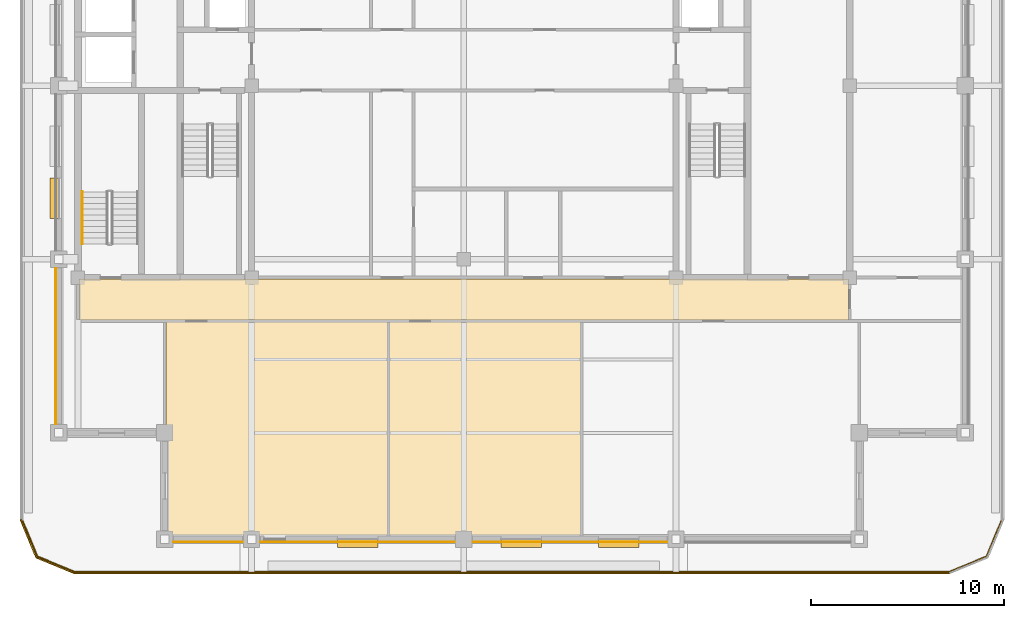
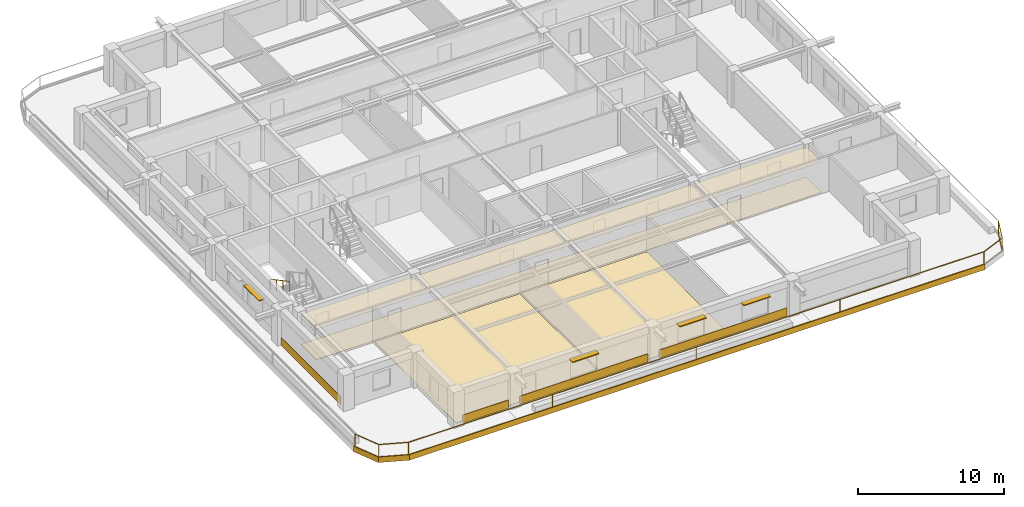
# One storey, part 7 of 11: 11 coverings, 4 shading devices, 2 railings.
"""IFC4 building model written with IfcOpenShell, lengths in metres."""

from ifc_helpers import new_model, si_unit, direction, frame, frame_2d, origin, origin_2d, place, context, subcontext, project, spatial, polyline, rectangle, outline, extrude, material, layer, layer_set, type_object, element, save


model = new_model("IFC4")

# Units and contexts
model_context = context("Model", 3, precision=1e-05, world=origin(), true_north=direction((0.0, 1.0)))
body_context = subcontext(model_context, "Body", "Model", "MODEL_VIEW")
ifc_project = project(units=[si_unit("LENGTHUNIT", "METRE"), si_unit("AREAUNIT", "SQUARE_METRE"), si_unit("VOLUMEUNIT", "CUBIC_METRE"), si_unit("PLANEANGLEUNIT", "RADIAN"), si_unit("MASSUNIT", "GRAM", prefix="KILO")], contexts=[model_context])

# Site, building, storey
site_placement = place(None, origin())
site = spatial("IfcSite", under=ifc_project, at=site_placement, CompositionType="ELEMENT")
building_placement = place(site_placement, origin())
building = spatial("IfcBuilding", under=site, at=building_placement, Name="Zulmaris Gate Convention Tower", CompositionType="ELEMENT")
storey_placement = place(building_placement, frame((0.0, 0.0, 236.510009765625)))
storey = spatial("IfcBuildingStorey", under=building, at=storey_placement, Name="L62", CompositionType="ELEMENT", Elevation=236.510009765625)

# Coverings
ifc_material_1 = material(Name="Precast concrete C40/50", Category="concrete")
ifc_layer_1 = layer(ifc_material_1, 0.0400390625, Name="Precast concrete C40/50")
ifc_layer_set_1 = layer_set([ifc_layer_1], Name="Precast concrete C40/50")
covering_type_1 = type_object("IfcCoveringType", Name="CLAD-SPANDREL-PRECAST", PredefinedType="CLADDING", material=ifc_layer_set_1)
covering_1_placement = place(storey_placement, frame((-15.044921875, -23.64990234375, 0.0), z_axis=(0.0, 0.0, 1.0), x_axis=(1.0, 0.0, 0.0)))
element("IfcCovering", 1, at=covering_1_placement, inside=storey, type_object=covering_type_1, Name="CLD-L62-S-0_0", PredefinedType="CLADDING", context=body_context, shape_type="SweptSolid", body=[
    extrude(rectangle(XDim=3.58984375, YDim=0.0400390625, at=frame_2d((1.794921875, 0.0))), origin(), (0.0, 0.0, 1.0), 0.679931640625),
])
for number, where, z_axis, x_axis, name in (
    (2, (-10.544921875, -23.64990234375, 0.0), (0.0, 0.0, 1.0), (1.0, 0.0, 0.0), "CLD-L62-S-1_0"),
    (3, (0.455078125, -23.64990234375, 0.0), (0.0, 0.0, 1.0), (1.0, 0.0, 0.0), "CLD-L62-S-2_0"),
):
    element("IfcCovering", number, at=place(storey_placement, frame(where, z_axis=z_axis, x_axis=x_axis)), inside=storey, type_object=covering_type_1, Name=name, PredefinedType="CLADDING", context=body_context, shape_type="SweptSolid", body=[
        extrude(rectangle(XDim=10.08984375, YDim=0.0400390625, at=frame_2d((5.044921875, 0.0))), origin(), (0.0, 0.0, 1.0), 0.679931640625),
    ])
covering_2_placement = place(storey_placement, frame((-21.14990234375, -9.455078125, 0.0), z_axis=(0.0, 0.0, 1.0), x_axis=(0.0, -1.0, 0.0)))
element("IfcCovering", 4, at=covering_2_placement, inside=storey, type_object=covering_type_1, Name="CLD-L62-W-0_0", PredefinedType="CLADDING", context=body_context, shape_type="SweptSolid", body=[
    extrude(rectangle(XDim=8.08984375, YDim=0.0400390625, at=frame_2d((4.044921875, 0.0))), origin(), (0.0, 0.0, 1.0), 0.679931640625),
])
ifc_material_2 = material(Name="White Glazed Architectural Precast Concrete C40/50", Category="concrete")
ifc_layer_2 = layer(ifc_material_2, 0.080078125, Name="White Glazed Architectural Precast Concrete C40/50")
ifc_layer_set_2 = layer_set([ifc_layer_2], Name="White Glazed Architectural Precast Concrete C40/50")
covering_type_2 = type_object("IfcCoveringType", Name="CLAD-TRAY-FASCIA", PredefinedType="CLADDING", material=ifc_layer_set_2)
covering_3_placement = place(storey_placement, frame((-22.962890625, -22.484619140625, -0.2900390625), z_axis=(0.0, 0.0, 1.0), x_axis=(0.382656984709, -0.923890487046, 0.0)))
element("IfcCovering", 5, at=covering_3_placement, inside=storey, type_object=covering_type_2, Name="FSC-L62-TR-00", PredefinedType="CLADDING", context=body_context, shape_type="SweptSolid", body=[
    extrude(rectangle(XDim=2.14306640625, YDim=0.080078125, at=frame_2d((1.071533203125, 0.0))), origin(), (0.0, 0.0, 1.0), 0.4599609375),
])
covering_4_placement = place(storey_placement, frame((-22.16455078125, -24.44287109375, -0.2900390625), z_axis=(0.0, 0.0, 1.0), x_axis=(0.923873803533, -0.382697263049, 0.0)))
element("IfcCovering", 6, at=covering_4_placement, inside=storey, type_object=covering_type_2, Name="FSC-L62-TR-01", PredefinedType="CLADDING", context=body_context, shape_type="SweptSolid", body=[
    extrude(rectangle(XDim=2.142822265625, YDim=0.080078125, at=frame_2d((1.0712890625, 0.0))), origin(), (0.0, 0.0, 1.0), 0.4599609375),
])
covering_5_placement = place(storey_placement, frame((-20.199951171875, -25.260009765625, -0.2900390625), z_axis=(0.0, 0.0, 1.0), x_axis=(1.0, 0.0, 0.0)))
element("IfcCovering", 7, at=covering_5_placement, inside=storey, type_object=covering_type_2, Name="FSC-L62-TR-02", PredefinedType="CLADDING", context=body_context, shape_type="SweptSolid", body=[
    extrude(rectangle(XDim=45.39990234375, YDim=0.080078125, at=frame_2d((22.699951171875, 0.0))), origin(), (0.0, 0.0, 1.0), 0.4599609375),
])
ifc_material_3 = material(Name="Mineral Fibre Acoustic Ceiling Tile")
ifc_layer_3 = layer(ifc_material_3, 0.02001953125, Name="Mineral Fibre Acoustic Ceiling Tile")
ifc_layer_set_3 = layer_set([ifc_layer_3], Name="Mineral Fibre Acoustic Ceiling Tile")
covering_type_3 = type_object("IfcCoveringType", Name="CLG-ACOUSTIC-600", PredefinedType="CEILING", material=ifc_layer_set_3)
covering_6_placement = place(storey_placement, frame((0.0, 0.0, 2.5380859375)))
element("IfcCovering", 8, at=covering_6_placement, inside=storey, type_object=covering_type_3, Name="CLG-L62-R26", PredefinedType="CEILING", context=body_context, shape_type="SweptSolid", body=[
    extrude(outline(polyline([(-19.93994140625, -12.139892578125), (19.93994140625, -12.139892578125), (19.93994140625, -10.010009765625), (-19.93994140625, -10.010009765625), (-19.93994140625, -12.139892578125)])), origin(), (0.0, 0.0, 1.0), 0.02001953125),
])
ifc_material_4 = material(Name="Woven Acoustic Wool Carpet Tile")
ifc_layer_4 = layer(ifc_material_4, 0.02001953125, Name="Woven Acoustic Wool Carpet Tile")
ifc_layer_set_4 = layer_set([ifc_layer_4], Name="Woven Acoustic Wool Carpet Tile")
covering_type_4 = type_object("IfcCoveringType", Name="FLR-CARPET-12", PredefinedType="FLOORING", material=ifc_layer_set_4)
covering_7_placement = place(storey_placement, origin())
element("IfcCovering", 9, at=covering_7_placement, inside=storey, type_object=covering_type_4, Name="FLR-L62-R26", PredefinedType="FLOORING", context=body_context, shape_type="SweptSolid", body=[
    extrude(outline(polyline([(-19.93994140625, -12.139892578125), (19.93994140625, -12.139892578125), (19.93994140625, -10.010009765625), (-19.93994140625, -10.010009765625), (-19.93994140625, -12.139892578125)])), origin(), (0.0, 0.0, 1.0), 0.02001953125),
])
covering_8_placement = place(storey_placement, origin())
element("IfcCovering", 10, at=covering_8_placement, inside=storey, type_object=covering_type_4, Name="FLR-L62-R34", PredefinedType="FLOORING", context=body_context, shape_type="SweptSolid", body=[
    extrude(outline(polyline([(-3.840087890625, -23.43994140625), (6.0400390625, -23.43994140625), (6.0400390625, -12.260009765625), (-3.840087890625, -12.260009765625), (-3.840087890625, -23.43994140625)])), origin(), (0.0, 0.0, 1.0), 0.02001953125),
])
ifc_material_5 = material(Name="Engineered Teak Parquet Flooring")
ifc_layer_5 = layer(ifc_material_5, 0.02001953125, Name="Engineered Teak Parquet Flooring")
ifc_layer_set_5 = layer_set([ifc_layer_5], Name="Engineered Teak Parquet Flooring")
covering_type_5 = type_object("IfcCoveringType", Name="FLR-TIMBER-18", PredefinedType="FLOORING", material=ifc_layer_set_5)
covering_9_placement = place(storey_placement, origin())
element("IfcCovering", 11, at=covering_9_placement, inside=storey, type_object=covering_type_5, Name="FLR-L62-R33", PredefinedType="FLOORING", context=body_context, shape_type="SweptSolid", body=[
    extrude(outline(polyline([(-15.43994140625, -23.43994140625), (-3.9599609375, -23.43994140625), (-3.9599609375, -12.260009765625), (-15.43994140625, -12.260009765625), (-15.43994140625, -23.43994140625)])), origin(), (0.0, 0.0, 1.0), 0.02001953125),
])

# Railings
ifc_material_6 = material(Name="Laminated Glass and Stainless Steel", Category="steel")
railing_type_1 = type_object("IfcRailingType", Name="RL-BALC-1150", PredefinedType="BALUSTRADE", material=ifc_material_6)
railing_1_placement = place(storey_placement, frame((-22.8798828125, -22.5, 0.010009765625)))
element("IfcRailing", 12, at=railing_1_placement, inside=storey, type_object=railing_type_1, Name="RL-L62-BALC-S", PredefinedType="BALUSTRADE", context=body_context, shape_type="SweptSolid", body=[
    extrude(rectangle(XDim=0.048095703125, YDim=0.048095703125, at=origin_2d()), frame((0.0, 0.0, 1.1259765625), z_axis=(0.382670664694, -0.92388482095, 0.0), x_axis=(0.92388482095, 0.382670664694, 0.0)), (0.0, 0.0, 1.0), 2.051025390625),
    extrude(rectangle(XDim=0.048095703125, YDim=0.048095703125, at=origin_2d()), frame((0.0, 0.0, 0.02392578125), z_axis=(0.382670664694, -0.92388482095, 0.0), x_axis=(0.92388482095, 0.382670664694, 0.0)), (0.0, 0.0, 1.0), 2.051025390625),
    extrude(rectangle(XDim=0.048095703125, YDim=0.048095703125, at=origin_2d()), frame((0.784912109375, -1.89501953125, 1.1259765625), z_axis=(0.92388482095, -0.382670664694, 0.0), x_axis=(0.382670664694, 0.92388482095, 0.0)), (0.0, 0.0, 1.0), 2.051025390625),
    extrude(rectangle(XDim=0.048095703125, YDim=0.048095703125, at=origin_2d()), frame((0.784912109375, -1.89501953125, 0.02392578125), z_axis=(0.92388482095, -0.382670664694, 0.0), x_axis=(0.382670664694, 0.92388482095, 0.0)), (0.0, 0.0, 1.0), 2.051025390625),
    extrude(rectangle(XDim=0.048095703125, YDim=0.048095703125, at=origin_2d()), frame((2.679931640625, -2.679931640625, 1.1259765625), z_axis=(1.0, 0.0, 0.0), x_axis=(0.0, 1.0, 0.0)), (0.0, 0.0, 1.0), 45.39990234375),
    extrude(rectangle(XDim=0.048095703125, YDim=0.048095703125, at=origin_2d()), frame((2.679931640625, -2.679931640625, 0.02392578125), z_axis=(1.0, 0.0, 0.0), x_axis=(0.0, 1.0, 0.0)), (0.0, 0.0, 1.0), 45.39990234375),
    extrude(rectangle(XDim=0.048095703125, YDim=0.048095703125, at=origin_2d()), frame((48.079833984375, -2.679931640625, 1.1259765625), z_axis=(0.92388482095, 0.382670664694, 0.0), x_axis=(-0.382670664694, 0.92388482095, 0.0)), (0.0, 0.0, 1.0), 2.051025390625),
    extrude(rectangle(XDim=0.048095703125, YDim=0.048095703125, at=origin_2d()), frame((48.079833984375, -2.679931640625, 0.02392578125), z_axis=(0.92388482095, 0.382670664694, 0.0), x_axis=(-0.382670664694, 0.92388482095, 0.0)), (0.0, 0.0, 1.0), 2.051025390625),
    extrude(rectangle(XDim=0.048095703125, YDim=0.048095703125, at=origin_2d()), frame((49.974853515625, -1.89501953125, 1.1259765625), z_axis=(0.382670664694, 0.92388482095, 0.0), x_axis=(-0.92388482095, 0.382670664694, 0.0)), (0.0, 0.0, 1.0), 2.051025390625),
    extrude(rectangle(XDim=0.048095703125, YDim=0.048095703125, at=origin_2d()), frame((49.974853515625, -1.89501953125, 0.02392578125), z_axis=(0.382670664694, 0.92388482095, 0.0), x_axis=(-0.92388482095, 0.382670664694, 0.0)), (0.0, 0.0, 1.0), 2.051025390625),
    extrude(rectangle(XDim=0.0419921875, YDim=0.0419921875, at=origin_2d()), origin(), (0.0, 0.0, 1.0), 1.101806640625),
    extrude(rectangle(XDim=0.0419921875, YDim=0.0419921875, at=origin_2d()), frame((0.784912109375, -1.89501953125, 0.0)), (0.0, 0.0, 1.0), 1.101806640625),
    extrude(rectangle(XDim=0.0419921875, YDim=0.0419921875, at=origin_2d()), frame((2.679931640625, -2.679931640625, 0.0)), (0.0, 0.0, 1.0), 1.101806640625),
    extrude(rectangle(XDim=0.0419921875, YDim=0.0419921875, at=origin_2d()), frame((14.02978515625, -2.679931640625, 0.0)), (0.0, 0.0, 1.0), 1.101806640625),
    extrude(rectangle(XDim=0.0419921875, YDim=0.0419921875, at=origin_2d()), frame((25.3798828125, -2.679931640625, 0.0)), (0.0, 0.0, 1.0), 1.101806640625),
    extrude(rectangle(XDim=0.0419921875, YDim=0.0419921875, at=origin_2d()), frame((36.72998046875, -2.679931640625, 0.0)), (0.0, 0.0, 1.0), 1.101806640625),
    extrude(rectangle(XDim=0.0419921875, YDim=0.0419921875, at=origin_2d()), frame((48.079833984375, -2.679931640625, 0.0)), (0.0, 0.0, 1.0), 1.101806640625),
    extrude(rectangle(XDim=0.0419921875, YDim=0.0419921875, at=origin_2d()), frame((49.974853515625, -1.89501953125, 0.0)), (0.0, 0.0, 1.0), 1.101806640625),
    extrude(rectangle(XDim=0.0419921875, YDim=0.0419921875, at=origin_2d()), frame((50.759765625, 0.0, 0.0)), (0.0, 0.0, 1.0), 1.101806640625),
])
ifc_material_7 = material(Name="Brushed Stainless Steel", Category="steel")
railing_type_2 = type_object("IfcRailingType", Name="RL-STH-900", PredefinedType="HANDRAIL", material=ifc_material_7)
railing_2_placement = place(storey_placement, frame((-19.77001953125, -5.5, 1.776611328125)))
element("IfcRailing", 13, at=railing_2_placement, inside=storey, type_object=railing_type_2, Name="L62 ST-3 stair handrail 2", PredefinedType="HANDRAIL", context=body_context, shape_type="SweptSolid", body=[
    extrude(rectangle(XDim=0.048095703125, YDim=0.048095703125, at=origin_2d()), frame((0.0, 0.0, 0.8759765625), z_axis=(0.0, -0.880532452117, 0.47398586558), x_axis=(1.0, 0.0, 0.0)), (0.0, 0.0, 1.0), 3.066162109375),
    extrude(rectangle(XDim=0.0419921875, YDim=0.0419921875, at=origin_2d()), origin(), (0.0, 0.0, 1.0), 0.851806640625),
    extrude(rectangle(XDim=0.0419921875, YDim=0.0419921875, at=origin_2d()), frame((0.0, -0.89990234375, 0.484375)), (0.0, 0.0, 1.0), 0.851806640625),
    extrude(rectangle(XDim=0.0419921875, YDim=0.0419921875, at=origin_2d()), frame((0.0, -1.800048828125, 0.968994140625)), (0.0, 0.0, 1.0), 0.851806640625),
    extrude(rectangle(XDim=0.0419921875, YDim=0.0419921875, at=origin_2d()), frame((0.0, -2.699951171875, 1.453369140625)), (0.0, 0.0, 1.0), 0.851806640625),
])

# Shading devices
ifc_material_8 = material(Name="Glazed Ceramic Terracotta", Category="masonry")
ifc_layer_6 = layer(ifc_material_8, 0.070068359375, Name="Glazed Ceramic Terracotta")
ifc_layer_set_6 = layer_set([ifc_layer_6], Name="Glazed Ceramic Terracotta")
shading_device_type = type_object("IfcShadingDeviceType", Name="SHD-SUNSHADE-TC", PredefinedType="AWNING", material=ifc_layer_set_6)
for number, where, z_axis, x_axis, name in (
    (14, (-6.550048828125, -23.719970703125, 2.22998046875), (0.0, 0.0, 1.0), (1.0, 0.0, 0.0), "SHD-EW-L62-S-1_0-2"),
    (15, (1.927001953125, -23.719970703125, 2.22998046875), (0.0, 0.0, 1.0), (1.0, 0.0, 0.0), "SHD-EW-L62-S-2_0-1"),
    (16, (6.972900390625, -23.719970703125, 2.22998046875), (0.0, 0.0, 1.0), (1.0, 0.0, 0.0), "SHD-EW-L62-S-2_0-3"),
):
    element("IfcShadingDevice", number, at=place(storey_placement, frame(where, z_axis=z_axis, x_axis=x_axis)), inside=storey, type_object=shading_device_type, Name=name, PredefinedType="AWNING", context=body_context, shape_type="SweptSolid", body=[
        extrude(rectangle(XDim=2.10009765625, YDim=0.43994140625, at=frame_2d((1.050048828125, 0.0))), origin(), (0.0, 0.0, 1.0), 0.070068359375),
    ])
shading_device_placement = place(storey_placement, frame((-21.219970703125, -4.798095703125, 2.22998046875), z_axis=(0.0, 0.0, 1.0), x_axis=(0.0, -1.0, 0.0)))
element("IfcShadingDevice", 17, at=shading_device_placement, inside=storey, type_object=shading_device_type, Name="SHD-EW-L62-W-1_0-2", PredefinedType="AWNING", context=body_context, shape_type="SweptSolid", body=[
    extrude(rectangle(XDim=2.099853515625, YDim=0.43994140625, at=frame_2d((1.0498046875, 0.0))), origin(), (0.0, 0.0, 1.0), 0.070068359375),
])

save(model, "model.ifc")
